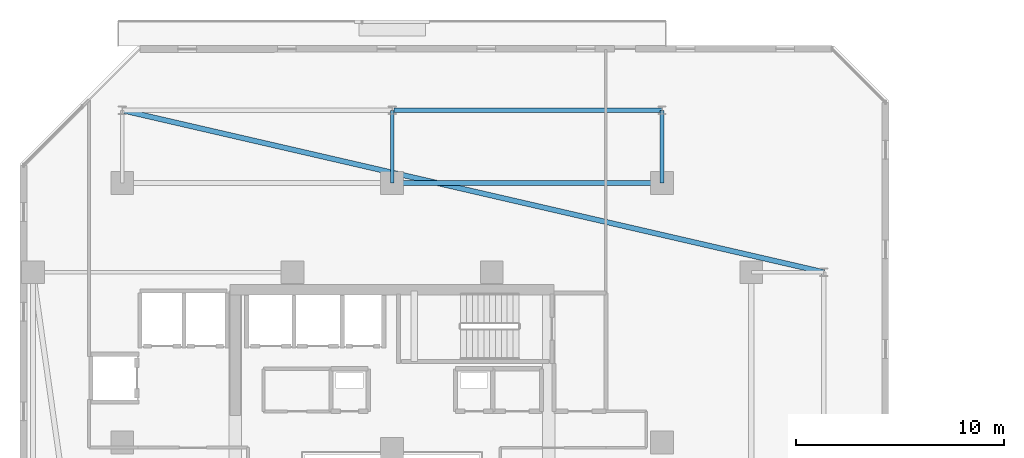
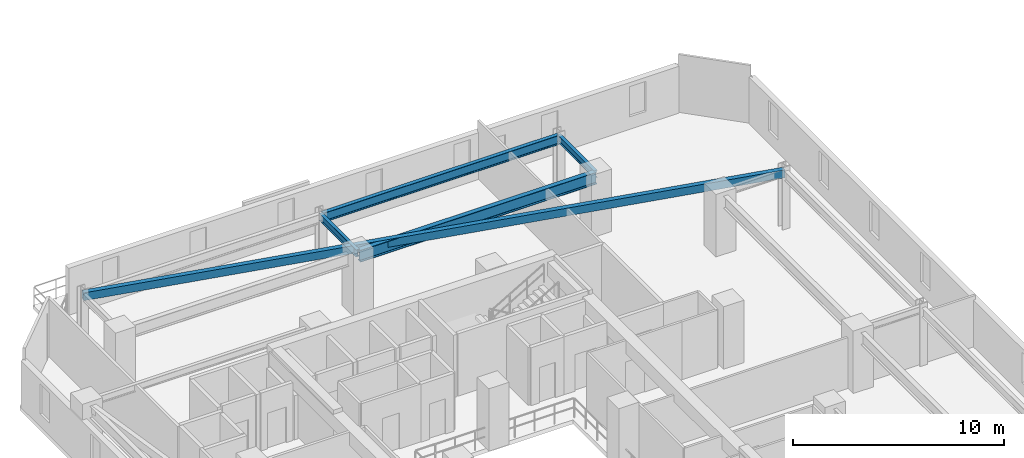
# One storey, part 9 of 32: 5 beams.
"""IFC4 building model written with IfcOpenShell, lengths in metres."""

from ifc_helpers import new_model, si_unit, direction, frame, origin, origin_2d, place, context, subcontext, project, spatial, hollow_rectangle, i_section, extrude, material, material_profile, profile_set, type_object, element, save


model = new_model("IFC4")

# Units and contexts
model_context = context("Model", 3, precision=1e-05, world=origin(), true_north=direction((0.0, 1.0)))
body_context = subcontext(model_context, "Body", "Model", "MODEL_VIEW")
ifc_project = project(units=[si_unit("LENGTHUNIT", "METRE"), si_unit("AREAUNIT", "SQUARE_METRE"), si_unit("VOLUMEUNIT", "CUBIC_METRE"), si_unit("PLANEANGLEUNIT", "RADIAN"), si_unit("MASSUNIT", "GRAM", prefix="KILO")], contexts=[model_context])

# Site, building, storey
site_placement = place(None, origin())
site = spatial("IfcSite", under=ifc_project, at=site_placement, CompositionType="ELEMENT")
building_placement = place(site_placement, origin())
building = spatial("IfcBuilding", under=site, at=building_placement, Name="Thornwick Lancets Civic Towers", CompositionType="ELEMENT")
storey_placement = place(building_placement, frame((0.0, 0.0, 182.10009765625)))
storey = spatial("IfcBuildingStorey", under=building, at=storey_placement, Name="L48", CompositionType="ELEMENT", Elevation=182.10009765625)

# Beams
ifc_material = material(Name="Steel S355JR", Category="steel")
ifc_material_profile_1 = material_profile(ifc_material, i_section(OverallWidth=0.210693359375, OverallDepth=0.53955078125, WebThickness=0.01171875, FlangeThickness=0.018798828125, FilletRadius=0.0126953125, at=origin_2d()), Name="UKB 533x210x109")
ifc_profile_set_1 = profile_set([ifc_material_profile_1], Name="Steel S355JR")
beam_type_1 = type_object("IfcBeamType", Name="BM_EDGE_533_109", PredefinedType="SPANDREL", material=ifc_profile_set_1)
beam_1_placement = place(storey_placement, frame((25.580078125, 47.800048828125, 3.090087890625), z_axis=(1.0, 0.0, 0.0), x_axis=(0.0, 1.0, 0.0)))
element("IfcBeam", 1, at=beam_1_placement, inside=storey, type_object=beam_type_1, Name="BM-EDGE-L48-A-S2-2", PredefinedType="SPANDREL", context=body_context, shape_type="SweptSolid", body=[
    extrude(i_section(OverallWidth=0.210693359375, OverallDepth=0.53955078125, WebThickness=0.01171875, FlangeThickness=0.018798828125, FilletRadius=0.0126953125, at=origin_2d()), origin(), (0.0, 0.0, 1.0), 12.919921875),
])
ifc_material_profile_2 = material_profile(ifc_material, i_section(OverallWidth=0.255859375, OverallDepth=0.69287109375, WebThickness=0.014404296875, FlangeThickness=0.023681640625, FilletRadius=0.01513671875, at=origin_2d()), Name="UKB 686x254x170")
ifc_profile_set_2 = profile_set([ifc_material_profile_2], Name="Steel S355JR")
beam_type_2 = type_object("IfcBeamType", Name="BM_GIRD_686_170", PredefinedType="BEAM", material=ifc_profile_set_2)
beam_2_placement = place(storey_placement, frame((25.580078125, 44.300048828125, 3.013427734375), z_axis=(1.0, 0.0, 0.0), x_axis=(0.0, 1.0, 0.0)))
element("IfcBeam", 2, at=beam_2_placement, inside=storey, type_object=beam_type_2, Name="BM-SPINE-L48-A-7-8", PredefinedType="BEAM", context=body_context, shape_type="SweptSolid", body=[
    extrude(i_section(OverallWidth=0.255859375, OverallDepth=0.69287109375, WebThickness=0.014404296875, FlangeThickness=0.023681640625, FilletRadius=0.01513671875, at=origin_2d()), origin(), (0.0, 0.0, 1.0), 12.919921875),
])
ifc_material_profile_3 = material_profile(ifc_material, i_section(OverallWidth=0.179443359375, OverallDepth=0.412841796875, WebThickness=0.009521484375, FlangeThickness=0.01611328125, FilletRadius=0.01025390625, at=origin_2d()), Name="UKB 406x178x74")
ifc_profile_set_3 = profile_set([ifc_material_profile_3], Name="Steel S355JR")
beam_type_3 = type_object("IfcBeamType", Name="BM_JOIST_406_74", PredefinedType="JOIST", material=ifc_profile_set_3)
for number, where, z_axis, x_axis, name in (
    (3, (25.5, 44.300048828125, 3.153564453125), (0.0, 1.0, 0.0), (-1.0, 0.0, 0.0), "BM-RAD-L48-A08"),
    (4, (38.5, 44.300048828125, 3.153564453125), (0.0, 1.0, 0.0), (-1.0, 0.0, 0.0), "BM-RAD-L48-A09"),
):
    element("IfcBeam", number, at=place(storey_placement, frame(where, z_axis=z_axis, x_axis=x_axis)), inside=storey, type_object=beam_type_3, Name=name, PredefinedType="JOIST", context=body_context, shape_type="SweptSolid", body=[
        extrude(i_section(OverallWidth=0.179443359375, OverallDepth=0.412841796875, WebThickness=0.009521484375, FlangeThickness=0.01611328125, FilletRadius=0.01025390625, at=origin_2d()), origin(), (0.0, 0.0, 1.0), 3.5),
    ])
ifc_material_profile_4 = material_profile(ifc_material, hollow_rectangle(XDim=0.25, YDim=0.449951171875, WallThickness=0.01611328125, at=origin_2d()), Name="RHS 450x250x16")
ifc_profile_set_4 = profile_set([ifc_material_profile_4], Name="Steel S355JR")
beam_type_4 = type_object("IfcBeamType", Name="BM_RING_RHS450", PredefinedType="BEAM", material=ifc_profile_set_4)
beam_3_placement = place(storey_placement, frame((46.300048828125, 40.0, 3.135009765625), z_axis=(-0.974390958454, 0.224860534737, 0.0), x_axis=(-0.224860534737, -0.974390958454, 0.0)))
element("IfcBeam", 5, at=beam_3_placement, inside=storey, type_object=beam_type_4, Name="BM-CHAMF-L48-A-C1", PredefinedType="BEAM", context=body_context, shape_type="SweptSolid", body=[
    extrude(hollow_rectangle(XDim=0.25, YDim=0.449951171875, WallThickness=0.01611328125, at=origin_2d()), origin(), (0.0, 0.0, 1.0), 34.6884765625),
])

save(model, "model.ifc")
